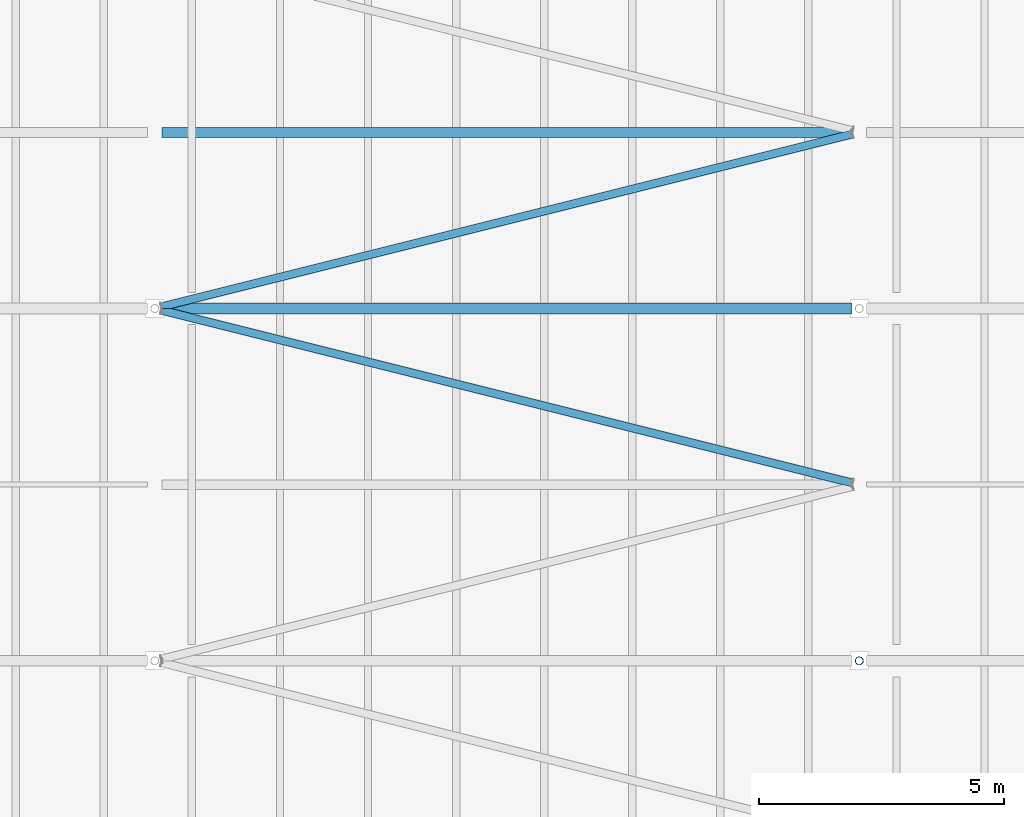
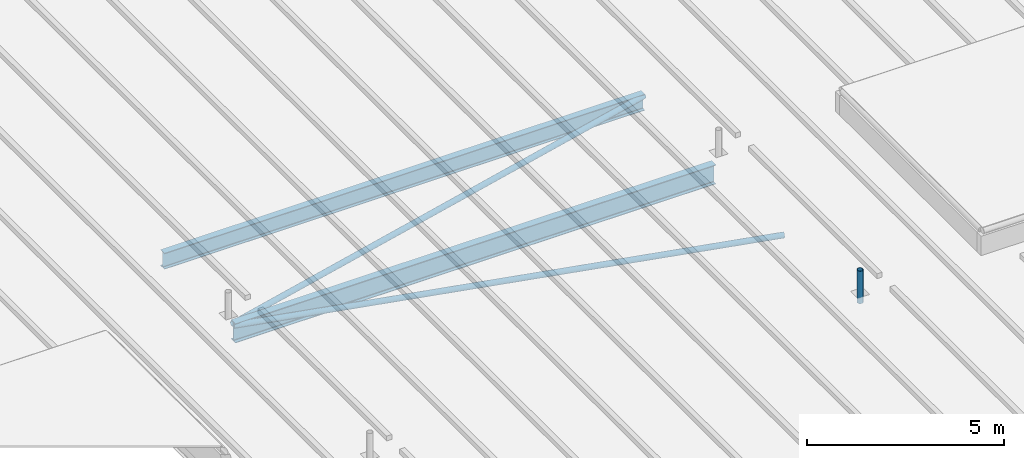
# One storey, part 27 of 120: 3 members, 2 beams.
"""IFC4 building model written with IfcOpenShell, lengths in metres."""

import ifcopenshell
import ifcopenshell.guid

model = None  # the IFC model being written
_history = None  # IfcOwnerHistory: only IFC2X3 demands one
_inside = {}  # id of a spatial element -> (the spatial element, [elements in it])
_under = {}  # id of a project, library or spatial element -> (it, [spatial elements below it])
_declared = {}  # id of a project -> (the project, [libraries it declares])
_typed = {}  # id of a type object -> (the type object, [elements of that type])
_made_of = {}  # id of a material, layer set ... -> (it, [elements and type objects made of it])


def new_model(schema):
    """Start an empty IFC model of exactly this schema.

    Asked for "IFC4X3", IfcOpenShell would pick the latest addendum, in which some entities
    have other attributes; the version numbers below select the first issue.
    IFC2X3 requires an IfcOwnerHistory on every rooted entity: one is made here for all.
    """
    global model, _history
    if schema == "IFC4X3":
        model = ifcopenshell.file(schema_version=(4, 3, 0, 0))
    else:
        model = ifcopenshell.file(schema=schema)
    _inside.clear()
    _under.clear()
    _declared.clear()
    _typed.clear()
    _made_of.clear()
    _history = None
    if model.schema == "IFC2X3":
        org = make("IfcOrganization", Name="unknown")
        user = make(
            "IfcPersonAndOrganization",
            ThePerson=make("IfcPerson", FamilyName="unknown"),
            TheOrganization=org,
        )
        app = make(
            "IfcApplication",
            ApplicationDeveloper=org,
            Version="unknown",
            ApplicationFullName="unknown",
            ApplicationIdentifier="unknown",
        )
        _history = make(
            "IfcOwnerHistory",
            OwningUser=user,
            OwningApplication=app,
            ChangeAction="ADDED",
            CreationDate=0,
        )
    return model


def make(cls, **values):
    """One entity of the class cls with the attributes given. An attribute that is None is left unset."""
    return model.create_entity(
        cls, **{name: value for name, value in values.items() if value is not None}
    )


def rooted(cls, **values):
    """An entity with a GlobalId (a new one), such as an element, a storey or a relation."""
    return make(cls, GlobalId=ifcopenshell.guid.new(), OwnerHistory=_history, **values)


def si_unit(unit_type, name, prefix=None):
    """IfcSIUnit, for example si_unit("LENGTHUNIT", "METRE", prefix="MILLI")."""
    return make("IfcSIUnit", UnitType=unit_type, Prefix=prefix, Name=name)


def assignment(units):
    """IfcUnitAssignment: the units of a project."""
    return None if units is None else make("IfcUnitAssignment", Units=units)


def point(xyz):
    """IfcCartesianPoint."""
    return None if xyz is None else make("IfcCartesianPoint", Coordinates=xyz)


def direction(xyz):
    """IfcDirection."""
    return None if xyz is None else make("IfcDirection", DirectionRatios=xyz)


def frame(location, z_axis=None, x_axis=None):
    """IfcAxis2Placement3D, a coordinate frame: its origin and axes. An axis left out is left unset."""
    return make(
        "IfcAxis2Placement3D",
        Location=point(location),
        Axis=direction(z_axis),
        RefDirection=direction(x_axis),
    )


def frame_2d(location, x_axis=None):
    """IfcAxis2Placement2D, a coordinate frame in the plane: its origin and x axis."""
    return make(
        "IfcAxis2Placement2D", Location=point(location), RefDirection=direction(x_axis)
    )


def origin():
    """The frame at (0, 0, 0) with its axes left unset."""
    return frame((0.0, 0.0, 0.0))


def origin_2d():
    """The frame at (0, 0) in the plane with its x axis left unset."""
    return frame_2d((0.0, 0.0))


def place(relative_to, where):
    """IfcLocalPlacement: puts the frame where relative to a parent placement (None: the world)."""
    return make(
        "IfcLocalPlacement", PlacementRelTo=relative_to, RelativePlacement=where
    )


def context(
    kind, dimensions, precision=None, world=None, true_north=None, identifier=None
):
    """IfcGeometricRepresentationContext, for example the 3D "Model" context."""
    return make(
        "IfcGeometricRepresentationContext",
        ContextIdentifier=identifier,
        ContextType=kind,
        CoordinateSpaceDimension=dimensions,
        Precision=precision,
        WorldCoordinateSystem=world,
        TrueNorth=true_north,
    )


def subcontext(parent, identifier, kind, view, scale=None):
    """IfcGeometricRepresentationSubContext, for example "Body" below "Model"."""
    return make(
        "IfcGeometricRepresentationSubContext",
        ContextIdentifier=identifier,
        ContextType=kind,
        ParentContext=parent,
        TargetScale=scale,
        TargetView=view,
    )


def project(units=None, contexts=None):
    """IfcProject with its units and contexts."""
    return rooted(
        "IfcProject",
        Name="project",
        RepresentationContexts=contexts,
        UnitsInContext=assignment(units),
    )


def spatial(cls, under=None, at=None, **own):
    """A site, building, storey or space (cls), placed at a placement, below another one or the project."""
    s = rooted(cls, ObjectPlacement=at, **own)
    if under is not None:
        _under.setdefault(under.id(), (under, []))[1].append(s)
    return s


def profile(cls, at=None, kind="AREA", **sizes):
    """A parametric profile (cls). Its sizes go by their IFC names, for example OverallWidth=200.0."""
    return make(cls, ProfileType=kind, Position=at, **sizes)


def hollow_circle(**sizes):
    """IfcCircleHollowProfileDef."""
    return profile("IfcCircleHollowProfileDef", **sizes)


def i_section(**sizes):
    """IfcIShapeProfileDef."""
    return profile("IfcIShapeProfileDef", **sizes)


def extrude(swept, where, along, depth):
    """IfcExtrudedAreaSolid: the profile swept, set in the frame where, extruded along a direction by depth."""
    return make(
        "IfcExtrudedAreaSolid",
        SweptArea=swept,
        Position=where,
        ExtrudedDirection=direction(along),
        Depth=depth,
    )


def shape(context_of_items, identifier, shape_type, items):
    """IfcShapeRepresentation: the items that make up one representation, for example the "Body"."""
    return make(
        "IfcShapeRepresentation",
        ContextOfItems=context_of_items,
        RepresentationIdentifier=identifier,
        RepresentationType=shape_type,
        Items=items,
    )


def material(Name=None, Category=None):
    """IfcMaterial."""
    return make("IfcMaterial", Name=Name, Category=Category)


def material_profile(
    of_material, cross_section, Name=None, Category=None, Priority=None
):
    """IfcMaterialProfile: a cross section and its material."""
    return make(
        "IfcMaterialProfile",
        Name=Name,
        Material=of_material,
        Profile=cross_section,
        Priority=Priority,
        Category=Category,
    )


def profile_set(profiles, Name=None, composite=None):
    """IfcMaterialProfileSet."""
    return make(
        "IfcMaterialProfileSet",
        Name=Name,
        MaterialProfiles=profiles,
        CompositeProfile=composite,
    )


def made_of(thing, what):
    """Note that an element or type object is made of a material, layer set ...; save() writes the relation."""
    if what is not None:
        _made_of.setdefault(what.id(), (what, []))[1].append(thing)
    return thing


def type_object(cls, material=None, **own):
    """A type object (cls), such as IfcWallType, which elements share."""
    return made_of(rooted(cls, **own), material)


def element(
    cls,
    number,
    at=None,
    inside=None,
    cuts=None,
    type_object=None,
    material=None,
    context=None,
    identifier="Body",
    shape_type=None,
    held_by="IfcProductDefinitionShape",
    body=None,
    shapes=None,
    **own,
):
    """One element of the class cls, such as IfcWall. Its Tag is "e" and its number.

    at: its placement. inside: the storey or other place that contains it. cuts: it is an
    opening in that element (IfcRelVoidsElement). A single representation is given by context,
    identifier, shape_type and body (its items); several are given by shapes. held_by: the class
    of the entity that holds the representations. save() writes the other relations.
    """
    e = rooted(cls, Tag="e%d" % number, ObjectPlacement=at, **own)
    if body is not None:
        shapes = [shape(context, identifier, shape_type, body)]
    if shapes is not None:
        e.Representation = make(held_by, Representations=shapes)
    if inside is not None:
        _inside.setdefault(inside.id(), (inside, []))[1].append(e)
    if cuts is not None:
        rooted(
            "IfcRelVoidsElement", RelatingBuildingElement=cuts, RelatedOpeningElement=e
        )
    if type_object is not None:
        _typed.setdefault(type_object.id(), (type_object, []))[1].append(e)
    return made_of(e, material)


def aggregate(whole, parts):
    """IfcRelAggregates: a whole, such as a stair, and the parts it consists of."""
    return rooted("IfcRelAggregates", RelatingObject=whole, RelatedObjects=parts)


def save(model, path):
    """Write the relations noted so far, then the file.

    IfcRelAggregates (storeys below a building ...), IfcRelContainedInSpatialStructure (elements
    in a storey), IfcRelDefinesByType, IfcRelAssociatesMaterial and IfcRelDeclares: one each for
    every whole, place, type object, material and project.
    """
    for whole, parts in _under.values():
        aggregate(whole, parts)
    for where, things in _inside.values():
        rooted(
            "IfcRelContainedInSpatialStructure",
            RelatedElements=things,
            RelatingStructure=where,
        )
    for kind, things in _typed.values():
        rooted("IfcRelDefinesByType", RelatedObjects=things, RelatingType=kind)
    for what, things in _made_of.values():
        rooted("IfcRelAssociatesMaterial", RelatedObjects=things, RelatingMaterial=what)
    for by, libraries in _declared.values():
        rooted("IfcRelDeclares", RelatingContext=by, RelatedDefinitions=libraries)
    model.write(path)


model = new_model("IFC4")

# Units and contexts
model_context = context("Model", 3, precision=1e-05, world=origin(), true_north=direction((0.0, 1.0)))
body_context = subcontext(model_context, "Body", "Model", "MODEL_VIEW")
ifc_project = project(units=[si_unit("LENGTHUNIT", "METRE"), si_unit("AREAUNIT", "SQUARE_METRE"), si_unit("VOLUMEUNIT", "CUBIC_METRE"), si_unit("PLANEANGLEUNIT", "RADIAN"), si_unit("MASSUNIT", "GRAM", prefix="KILO")], contexts=[model_context])

# Site, building, storey
site_placement = place(None, origin())
site = spatial("IfcSite", under=ifc_project, at=site_placement, CompositionType="ELEMENT")
building_placement = place(site_placement, origin())
building = spatial("IfcBuilding", under=site, at=building_placement, Name="Kupolbacken Congress Centre", CompositionType="ELEMENT")
storey_placement = place(building_placement, frame((0.0, 0.0, 21.60009765625)))
storey = spatial("IfcBuildingStorey", under=building, at=storey_placement, Name="L06", CompositionType="ELEMENT", Elevation=21.60009765625)

# Beams
ifc_material_1 = material(Name="Steel S355", Category="steel")
ifc_material_profile_1 = material_profile(ifc_material_1, i_section(OverallWidth=0.199951171875, OverallDepth=0.5, WebThickness=0.01025390625, FlangeThickness=0.01611328125, FilletRadius=0.02099609375, at=origin_2d()), Name="IPE 500")
ifc_profile_set_1 = profile_set([ifc_material_profile_1], Name="Steel S355")
beam_type_1 = type_object("IfcBeamType", Name="B09 beam IPE 500", PredefinedType="BEAM", material=ifc_profile_set_1)
beam_1_placement = place(storey_placement, frame((122.544921875, 86.39990234375, -0.25), z_axis=(1.0, 0.0, 0.0), x_axis=(0.0, 1.0, 0.0)))
element("IfcBeam", 1, at=beam_1_placement, inside=storey, type_object=beam_type_1, Name="HR/P12-03", PredefinedType="BEAM", context=body_context, shape_type="SweptSolid", body=[
    extrude(i_section(OverallWidth=0.199951171875, OverallDepth=0.5, WebThickness=0.01025390625, FlangeThickness=0.01611328125, FilletRadius=0.02099609375, at=origin_2d()), origin(), (0.0, 0.0, 1.0), 14.110107421875),
])
ifc_material_2 = material(Name="Steel S355", Category="steel")
ifc_material_profile_2 = material_profile(ifc_material_2, i_section(OverallWidth=0.219970703125, OverallDepth=0.60009765625, WebThickness=0.011962890625, FlangeThickness=0.01904296875, FilletRadius=0.02392578125, at=origin_2d()), Name="IPE 600")
ifc_profile_set_2 = profile_set([ifc_material_profile_2], Name="Steel S355")
beam_type_2 = type_object("IfcBeamType", Name="B11 beam IPE 600", PredefinedType="BEAM", material=ifc_profile_set_2)
beam_2_placement = place(storey_placement, frame((122.544921875, 82.800048828125, -0.300048828125), z_axis=(1.0, 0.0, 0.0), x_axis=(0.0, 1.0, 0.0)))
element("IfcBeam", 2, at=beam_2_placement, inside=storey, type_object=beam_type_2, Name="HR/X11-03", PredefinedType="BEAM", context=body_context, shape_type="SweptSolid", body=[
    extrude(i_section(OverallWidth=0.219970703125, OverallDepth=0.60009765625, WebThickness=0.011962890625, FlangeThickness=0.01904296875, FilletRadius=0.02392578125, at=origin_2d()), origin(), (0.0, 0.0, 1.0), 14.110107421875),
])

# Members
ifc_material_3 = material(Name="Steel S355", Category="steel")
ifc_material_profile_3 = material_profile(ifc_material_3, hollow_circle(Radius=0.084228515625, WallThickness=0.008056640625, at=origin_2d()), Name="CHS 168.3 x 8")
ifc_profile_set_3 = profile_set([ifc_material_profile_3], Name="Steel S355")
member_type_1 = type_object("IfcMemberType", Name="M20 transfer truss post CHS 168.3 x 8", PredefinedType="STRUT", material=ifc_profile_set_3)
member_placement = place(storey_placement, frame((136.800048828125, 75.60009765625, -0.010009765625), z_axis=(0.0, 0.0, 1.0), x_axis=(1.0, 0.0, 0.0)))
element("IfcMember", 3, at=member_placement, inside=storey, type_object=member_type_1, Name="Roof stay anchor post M4S.2", PredefinedType="STRUT", context=body_context, shape_type="SweptSolid", body=[
    extrude(hollow_circle(Radius=0.084228515625, WallThickness=0.008056640625, at=origin_2d()), origin(), (0.0, 0.0, 1.0), 1.010009765625),
])
ifc_material_4 = material(Name="Steel S355", Category="steel")
ifc_material_profile_4 = material_profile(ifc_material_4, hollow_circle(Radius=0.084228515625, WallThickness=0.008056640625, at=origin_2d()), Name="CHS 168.3 x 8")
ifc_profile_set_4 = profile_set([ifc_material_profile_4], Name="Steel S355")
member_type_2 = type_object("IfcMemberType", Name="M21 brace CHS 168.3 x 8", PredefinedType="BRACE", material=ifc_profile_set_4)
for number, where, z_axis, x_axis, name in (
    (4, (136.659423828125, 79.235107421875, -0.084228515625), (-0.970140526498, 0.24254351949, 0.0), (-0.24254351949, -0.970140526498, 0.0), "HR/RB/03-10"),
    (5, (122.540771484375, 82.835205078125, -0.084228515625), (0.970144473737, 0.242527730535, 0.0), (-0.242527730535, 0.970144473737, 0.0), "HR/RB/03-11"),
):
    element("IfcMember", number, at=place(storey_placement, frame(where, z_axis=z_axis, x_axis=x_axis)), inside=storey, type_object=member_type_2, Name=name, PredefinedType="BRACE", context=body_context, shape_type="SweptSolid", body=[
        extrude(hollow_circle(Radius=0.084228515625, WallThickness=0.008056640625, at=origin_2d()), origin(), (0.0, 0.0, 1.0), 14.55322265625),
    ])

save(model, "model.ifc")
